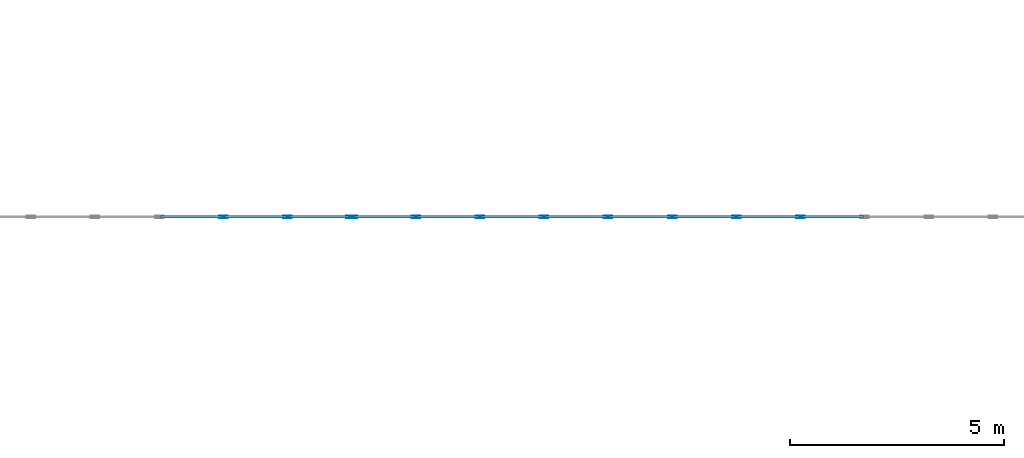
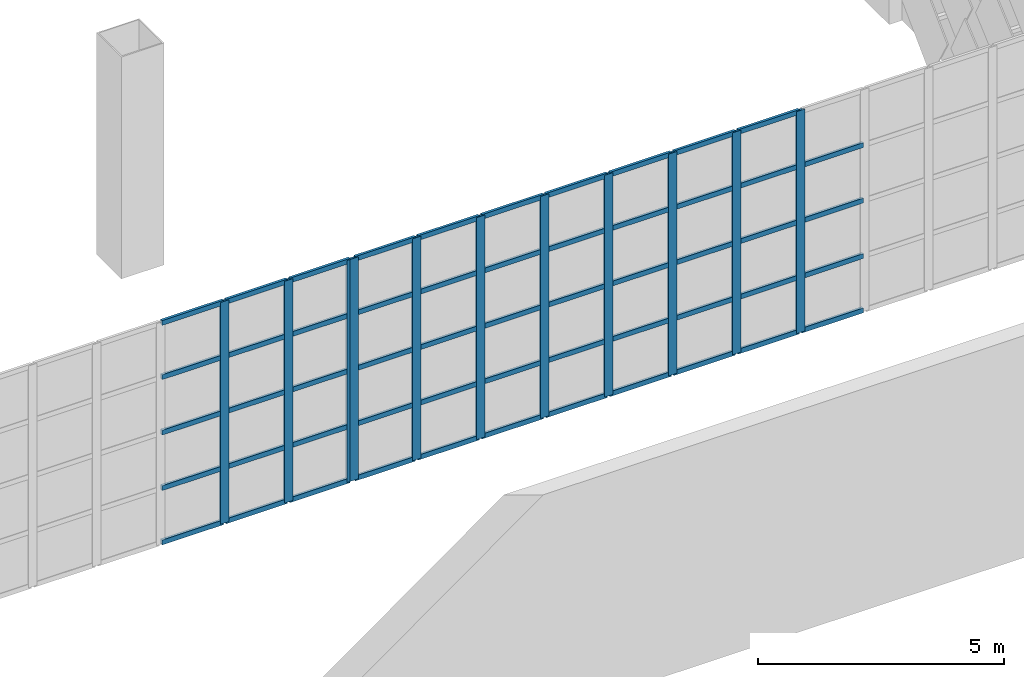
# One storey, part 44 of 185: 65 members, 2 elements without a shape of their own.
"""IFC4 building model written with IfcOpenShell, lengths in metres."""

from ifc_helpers import new_model, si_unit, direction, frame, origin, origin_2d, place, context, subcontext, project, spatial, hollow_rectangle, extrude, material, layer, layer_set, material_profile, profile_set, type_object, element, aggregate, save


model = new_model("IFC4")

# Units and contexts
model_context = context("Model", 3, precision=1e-05, world=origin(), true_north=direction((0.0, 1.0)))
body_context = subcontext(model_context, "Body", "Model", "MODEL_VIEW")
ifc_project = project(units=[si_unit("LENGTHUNIT", "METRE"), si_unit("AREAUNIT", "SQUARE_METRE"), si_unit("VOLUMEUNIT", "CUBIC_METRE"), si_unit("PLANEANGLEUNIT", "RADIAN"), si_unit("MASSUNIT", "GRAM", prefix="KILO")], contexts=[model_context])

# Site, building, storey
site_placement = place(None, origin())
site = spatial("IfcSite", under=ifc_project, at=site_placement, CompositionType="ELEMENT")
building_placement = place(site_placement, origin())
building = spatial("IfcBuilding", under=site, at=building_placement, Name="Opaline Strait Convention Centre", CompositionType="ELEMENT")
storey_placement = place(building_placement, frame((0.0, 0.0, 6.0)))
storey = spatial("IfcBuildingStorey", under=building, at=storey_placement, Name="L01", CompositionType="ELEMENT", Elevation=6.0)

# Curtain wall, members
ifc_material_1 = material(Name="Aluminium framed glazing", Category="aluminium")
ifc_layer = layer(ifc_material_1, 0.199951171875)
ifc_layer_set = layer_set([ifc_layer], Name="Aluminium framed glazing")
curtain_wall_type = type_object("IfcCurtainWallType", Name="Entrance curtain wall 1500", PredefinedType="NOTDEFINED", material=ifc_layer_set)
curtain_wall_1_placement = place(storey_placement, origin())
curtain_wall_1 = element("IfcCurtainWall", 1, at=curtain_wall_1_placement, inside=storey, type_object=curtain_wall_type, Name="Entrance curtain wall L01-R2", PredefinedType="NOTDEFINED")
ifc_material_2 = material(Name="Aluminium alloy 6063", Category="aluminium")
ifc_material_profile_1 = material_profile(ifc_material_2, hollow_rectangle(XDim=0.06005859375, YDim=0.199951171875, WallThickness=0.00390625, at=origin_2d()), Name="MULLION 60x200x4")
ifc_profile_set_1 = profile_set([ifc_material_profile_1], Name="Aluminium alloy 6063")
member_type_1 = type_object("IfcMemberType", Name="Curtain wall mullion 60 x 200", PredefinedType="MULLION", material=ifc_profile_set_1)
member_1_placement = place(storey_placement, frame((186.0, 144.0, 0.0), z_axis=(0.0, 0.0, 1.0), x_axis=(0.0, 1.0, 0.0)))
member_1 = element("IfcMember", 2, at=member_1_placement, type_object=member_type_1, Name="XCW mullion 11", PredefinedType="MULLION", context=body_context, shape_type="SweptSolid", body=[
    extrude(hollow_rectangle(XDim=0.06005859375, YDim=0.199951171875, WallThickness=0.00390625, at=origin_2d()), origin(), (0.0, 0.0, 1.0), 5.5),
])
member_2_placement = place(storey_placement, frame((187.5, 144.0, 0.0), z_axis=(0.0, 0.0, 1.0), x_axis=(0.0, 1.0, 0.0)))
member_2 = element("IfcMember", 3, at=member_2_placement, type_object=member_type_1, Name="XCW mullion 12", PredefinedType="MULLION", context=body_context, shape_type="SweptSolid", body=[
    extrude(hollow_rectangle(XDim=0.06005859375, YDim=0.199951171875, WallThickness=0.00390625, at=origin_2d()), origin(), (0.0, 0.0, 1.0), 5.5),
])
member_3_placement = place(storey_placement, frame((188.969970703125, 144.0, 0.0), z_axis=(0.0, 0.0, 1.0), x_axis=(0.0, 1.0, 0.0)))
member_3 = element("IfcMember", 4, at=member_3_placement, type_object=member_type_1, Name="XCW mullion 13", PredefinedType="MULLION", context=body_context, shape_type="SweptSolid", body=[
    extrude(hollow_rectangle(XDim=0.06005859375, YDim=0.199951171875, WallThickness=0.00390625, at=origin_2d()), origin(), (0.0, 0.0, 1.0), 5.5),
])

curtain_wall_2_placement = place(storey_placement, origin())
curtain_wall_2 = element("IfcCurtainWall", 5, at=curtain_wall_2_placement, inside=storey, type_object=curtain_wall_type, Name="Entrance curtain wall L01-R3", PredefinedType="NOTDEFINED")
member_4_placement = place(storey_placement, frame((189.030029296875, 144.0, 0.0), z_axis=(0.0, 0.0, 1.0), x_axis=(0.0, 1.0, 0.0)))
member_4 = element("IfcMember", 6, at=member_4_placement, type_object=member_type_1, Name="XCW mullion 1", PredefinedType="MULLION", context=body_context, shape_type="SweptSolid", body=[
    extrude(hollow_rectangle(XDim=0.06005859375, YDim=0.199951171875, WallThickness=0.00390625, at=origin_2d()), origin(), (0.0, 0.0, 1.0), 5.5),
])
member_5_placement = place(storey_placement, frame((190.5, 144.0, 0.0), z_axis=(0.0, 0.0, 1.0), x_axis=(0.0, 1.0, 0.0)))
member_5 = element("IfcMember", 7, at=member_5_placement, type_object=member_type_1, Name="XCW mullion 2", PredefinedType="MULLION", context=body_context, shape_type="SweptSolid", body=[
    extrude(hollow_rectangle(XDim=0.06005859375, YDim=0.199951171875, WallThickness=0.00390625, at=origin_2d()), origin(), (0.0, 0.0, 1.0), 5.5),
])
member_6_placement = place(storey_placement, frame((192.0, 144.0, 0.0), z_axis=(0.0, 0.0, 1.0), x_axis=(0.0, 1.0, 0.0)))
member_6 = element("IfcMember", 8, at=member_6_placement, type_object=member_type_1, Name="XCW mullion 3", PredefinedType="MULLION", context=body_context, shape_type="SweptSolid", body=[
    extrude(hollow_rectangle(XDim=0.06005859375, YDim=0.199951171875, WallThickness=0.00390625, at=origin_2d()), origin(), (0.0, 0.0, 1.0), 5.5),
])
member_7_placement = place(storey_placement, frame((193.5, 144.0, 0.0), z_axis=(0.0, 0.0, 1.0), x_axis=(0.0, 1.0, 0.0)))
member_7 = element("IfcMember", 9, at=member_7_placement, type_object=member_type_1, Name="XCW mullion 4", PredefinedType="MULLION", context=body_context, shape_type="SweptSolid", body=[
    extrude(hollow_rectangle(XDim=0.06005859375, YDim=0.199951171875, WallThickness=0.00390625, at=origin_2d()), origin(), (0.0, 0.0, 1.0), 5.5),
])
member_8_placement = place(storey_placement, frame((195.0, 144.0, 0.0), z_axis=(0.0, 0.0, 1.0), x_axis=(0.0, 1.0, 0.0)))
member_8 = element("IfcMember", 10, at=member_8_placement, type_object=member_type_1, Name="XCW mullion 5", PredefinedType="MULLION", context=body_context, shape_type="SweptSolid", body=[
    extrude(hollow_rectangle(XDim=0.06005859375, YDim=0.199951171875, WallThickness=0.00390625, at=origin_2d()), origin(), (0.0, 0.0, 1.0), 5.5),
])
member_9_placement = place(storey_placement, frame((196.5, 144.0, 0.0), z_axis=(0.0, 0.0, 1.0), x_axis=(0.0, 1.0, 0.0)))
member_9 = element("IfcMember", 11, at=member_9_placement, type_object=member_type_1, Name="XCW mullion 6", PredefinedType="MULLION", context=body_context, shape_type="SweptSolid", body=[
    extrude(hollow_rectangle(XDim=0.06005859375, YDim=0.199951171875, WallThickness=0.00390625, at=origin_2d()), origin(), (0.0, 0.0, 1.0), 5.5),
])
member_10_placement = place(storey_placement, frame((198.0, 144.0, 0.0), z_axis=(0.0, 0.0, 1.0), x_axis=(0.0, 1.0, 0.0)))
member_10 = element("IfcMember", 12, at=member_10_placement, type_object=member_type_1, Name="XCW mullion 7", PredefinedType="MULLION", context=body_context, shape_type="SweptSolid", body=[
    extrude(hollow_rectangle(XDim=0.06005859375, YDim=0.199951171875, WallThickness=0.00390625, at=origin_2d()), origin(), (0.0, 0.0, 1.0), 5.5),
])
member_11_placement = place(storey_placement, frame((199.5, 144.0, 0.0), z_axis=(0.0, 0.0, 1.0), x_axis=(0.0, 1.0, 0.0)))
member_11 = element("IfcMember", 13, at=member_11_placement, type_object=member_type_1, Name="XCW mullion 8", PredefinedType="MULLION", context=body_context, shape_type="SweptSolid", body=[
    extrude(hollow_rectangle(XDim=0.06005859375, YDim=0.199951171875, WallThickness=0.00390625, at=origin_2d()), origin(), (0.0, 0.0, 1.0), 5.5),
])

# Member
ifc_material_profile_2 = material_profile(ifc_material_2, hollow_rectangle(XDim=0.06005859375, YDim=0.1201171875, WallThickness=0.0029296875, at=origin_2d()), Name="TRANSOM 60x120x3")
ifc_profile_set_2 = profile_set([ifc_material_profile_2], Name="Aluminium alloy 6063")
member_type_2 = type_object("IfcMemberType", Name="Curtain wall transom 60 x 120", PredefinedType="USERDEFINED", material=ifc_profile_set_2)
member_12_placement = place(storey_placement, frame((184.530029296875, 144.0, 0.030029296875), z_axis=(1.0, 0.0, 0.0), x_axis=(0.0, 1.0, 0.0)))
member_12 = element("IfcMember", 14, at=member_12_placement, type_object=member_type_2, Name="XCW transom 10.1", ObjectType="TRANSOM", PredefinedType="USERDEFINED", context=body_context, shape_type="SweptSolid", body=[
    extrude(hollow_rectangle(XDim=0.06005859375, YDim=0.1201171875, WallThickness=0.0029296875, at=origin_2d()), origin(), (0.0, 0.0, 1.0), 1.43994140625),
])

member_13_placement = place(storey_placement, frame((184.530029296875, 144.0, 1.375), z_axis=(1.0, 0.0, 0.0), x_axis=(0.0, 1.0, 0.0)))
member_13 = element("IfcMember", 15, at=member_13_placement, type_object=member_type_2, Name="XCW transom 10.2", ObjectType="TRANSOM", PredefinedType="USERDEFINED", context=body_context, shape_type="SweptSolid", body=[
    extrude(hollow_rectangle(XDim=0.06005859375, YDim=0.1201171875, WallThickness=0.0029296875, at=origin_2d()), origin(), (0.0, 0.0, 1.0), 1.43994140625),
])

member_14_placement = place(storey_placement, frame((184.530029296875, 144.0, 2.75), z_axis=(1.0, 0.0, 0.0), x_axis=(0.0, 1.0, 0.0)))
member_14 = element("IfcMember", 16, at=member_14_placement, type_object=member_type_2, Name="XCW transom 10.3", ObjectType="TRANSOM", PredefinedType="USERDEFINED", context=body_context, shape_type="SweptSolid", body=[
    extrude(hollow_rectangle(XDim=0.06005859375, YDim=0.1201171875, WallThickness=0.0029296875, at=origin_2d()), origin(), (0.0, 0.0, 1.0), 1.43994140625),
])

member_15_placement = place(storey_placement, frame((184.530029296875, 144.0, 4.125), z_axis=(1.0, 0.0, 0.0), x_axis=(0.0, 1.0, 0.0)))
member_15 = element("IfcMember", 17, at=member_15_placement, type_object=member_type_2, Name="XCW transom 10.4", ObjectType="TRANSOM", PredefinedType="USERDEFINED", context=body_context, shape_type="SweptSolid", body=[
    extrude(hollow_rectangle(XDim=0.06005859375, YDim=0.1201171875, WallThickness=0.0029296875, at=origin_2d()), origin(), (0.0, 0.0, 1.0), 1.43994140625),
])

member_16_placement = place(storey_placement, frame((184.530029296875, 144.0, 5.469970703125), z_axis=(1.0, 0.0, 0.0), x_axis=(0.0, 1.0, 0.0)))
member_16 = element("IfcMember", 18, at=member_16_placement, type_object=member_type_2, Name="XCW transom 10.5", ObjectType="TRANSOM", PredefinedType="USERDEFINED", context=body_context, shape_type="SweptSolid", body=[
    extrude(hollow_rectangle(XDim=0.06005859375, YDim=0.1201171875, WallThickness=0.0029296875, at=origin_2d()), origin(), (0.0, 0.0, 1.0), 1.43994140625),
])

member_17_placement = place(storey_placement, frame((186.030029296875, 144.0, 0.030029296875), z_axis=(1.0, 0.0, 0.0), x_axis=(0.0, 1.0, 0.0)))
member_17 = element("IfcMember", 19, at=member_17_placement, type_object=member_type_2, Name="XCW transom 11.1", ObjectType="TRANSOM", PredefinedType="USERDEFINED", context=body_context, shape_type="SweptSolid", body=[
    extrude(hollow_rectangle(XDim=0.06005859375, YDim=0.1201171875, WallThickness=0.0029296875, at=origin_2d()), origin(), (0.0, 0.0, 1.0), 1.43994140625),
])

member_18_placement = place(storey_placement, frame((186.030029296875, 144.0, 1.375), z_axis=(1.0, 0.0, 0.0), x_axis=(0.0, 1.0, 0.0)))
member_18 = element("IfcMember", 20, at=member_18_placement, type_object=member_type_2, Name="XCW transom 11.2", ObjectType="TRANSOM", PredefinedType="USERDEFINED", context=body_context, shape_type="SweptSolid", body=[
    extrude(hollow_rectangle(XDim=0.06005859375, YDim=0.1201171875, WallThickness=0.0029296875, at=origin_2d()), origin(), (0.0, 0.0, 1.0), 1.43994140625),
])

member_19_placement = place(storey_placement, frame((186.030029296875, 144.0, 2.75), z_axis=(1.0, 0.0, 0.0), x_axis=(0.0, 1.0, 0.0)))
member_19 = element("IfcMember", 21, at=member_19_placement, type_object=member_type_2, Name="XCW transom 11.3", ObjectType="TRANSOM", PredefinedType="USERDEFINED", context=body_context, shape_type="SweptSolid", body=[
    extrude(hollow_rectangle(XDim=0.06005859375, YDim=0.1201171875, WallThickness=0.0029296875, at=origin_2d()), origin(), (0.0, 0.0, 1.0), 1.43994140625),
])

member_20_placement = place(storey_placement, frame((186.030029296875, 144.0, 4.125), z_axis=(1.0, 0.0, 0.0), x_axis=(0.0, 1.0, 0.0)))
member_20 = element("IfcMember", 22, at=member_20_placement, type_object=member_type_2, Name="XCW transom 11.4", ObjectType="TRANSOM", PredefinedType="USERDEFINED", context=body_context, shape_type="SweptSolid", body=[
    extrude(hollow_rectangle(XDim=0.06005859375, YDim=0.1201171875, WallThickness=0.0029296875, at=origin_2d()), origin(), (0.0, 0.0, 1.0), 1.43994140625),
])

member_21_placement = place(storey_placement, frame((186.030029296875, 144.0, 5.469970703125), z_axis=(1.0, 0.0, 0.0), x_axis=(0.0, 1.0, 0.0)))
member_21 = element("IfcMember", 23, at=member_21_placement, type_object=member_type_2, Name="XCW transom 11.5", ObjectType="TRANSOM", PredefinedType="USERDEFINED", context=body_context, shape_type="SweptSolid", body=[
    extrude(hollow_rectangle(XDim=0.06005859375, YDim=0.1201171875, WallThickness=0.0029296875, at=origin_2d()), origin(), (0.0, 0.0, 1.0), 1.43994140625),
])

member_22_placement = place(storey_placement, frame((187.530029296875, 144.0, 0.030029296875), z_axis=(1.0, 0.0, 0.0), x_axis=(0.0, 1.0, 0.0)))
member_22 = element("IfcMember", 24, at=member_22_placement, type_object=member_type_2, Name="XCW transom 12.1", ObjectType="TRANSOM", PredefinedType="USERDEFINED", context=body_context, shape_type="SweptSolid", body=[
    extrude(hollow_rectangle(XDim=0.06005859375, YDim=0.1201171875, WallThickness=0.0029296875, at=origin_2d()), origin(), (0.0, 0.0, 1.0), 1.409912109375),
])

member_23_placement = place(storey_placement, frame((187.530029296875, 144.0, 1.375), z_axis=(1.0, 0.0, 0.0), x_axis=(0.0, 1.0, 0.0)))
member_23 = element("IfcMember", 25, at=member_23_placement, type_object=member_type_2, Name="XCW transom 12.2", ObjectType="TRANSOM", PredefinedType="USERDEFINED", context=body_context, shape_type="SweptSolid", body=[
    extrude(hollow_rectangle(XDim=0.06005859375, YDim=0.1201171875, WallThickness=0.0029296875, at=origin_2d()), origin(), (0.0, 0.0, 1.0), 1.409912109375),
])

member_24_placement = place(storey_placement, frame((187.530029296875, 144.0, 2.75), z_axis=(1.0, 0.0, 0.0), x_axis=(0.0, 1.0, 0.0)))
member_24 = element("IfcMember", 26, at=member_24_placement, type_object=member_type_2, Name="XCW transom 12.3", ObjectType="TRANSOM", PredefinedType="USERDEFINED", context=body_context, shape_type="SweptSolid", body=[
    extrude(hollow_rectangle(XDim=0.06005859375, YDim=0.1201171875, WallThickness=0.0029296875, at=origin_2d()), origin(), (0.0, 0.0, 1.0), 1.409912109375),
])

member_25_placement = place(storey_placement, frame((187.530029296875, 144.0, 4.125), z_axis=(1.0, 0.0, 0.0), x_axis=(0.0, 1.0, 0.0)))
member_25 = element("IfcMember", 27, at=member_25_placement, type_object=member_type_2, Name="XCW transom 12.4", ObjectType="TRANSOM", PredefinedType="USERDEFINED", context=body_context, shape_type="SweptSolid", body=[
    extrude(hollow_rectangle(XDim=0.06005859375, YDim=0.1201171875, WallThickness=0.0029296875, at=origin_2d()), origin(), (0.0, 0.0, 1.0), 1.409912109375),
])

member_26_placement = place(storey_placement, frame((187.530029296875, 144.0, 5.469970703125), z_axis=(1.0, 0.0, 0.0), x_axis=(0.0, 1.0, 0.0)))
member_26 = element("IfcMember", 28, at=member_26_placement, type_object=member_type_2, Name="XCW transom 12.5", ObjectType="TRANSOM", PredefinedType="USERDEFINED", context=body_context, shape_type="SweptSolid", body=[
    extrude(hollow_rectangle(XDim=0.06005859375, YDim=0.1201171875, WallThickness=0.0029296875, at=origin_2d()), origin(), (0.0, 0.0, 1.0), 1.409912109375),
])

aggregate(curtain_wall_1, [member_1, member_2, member_3, member_12, member_13, member_14, member_15, member_16, member_17, member_18, member_19, member_20, member_21, member_22, member_23, member_24, member_25, member_26])

member_27_placement = place(storey_placement, frame((189.06005859375, 144.0, 0.030029296875), z_axis=(1.0, 0.0, 0.0), x_axis=(0.0, 1.0, 0.0)))
member_27 = element("IfcMember", 29, at=member_27_placement, type_object=member_type_2, Name="XCW transom 1.1", ObjectType="TRANSOM", PredefinedType="USERDEFINED", context=body_context, shape_type="SweptSolid", body=[
    extrude(hollow_rectangle(XDim=0.06005859375, YDim=0.1201171875, WallThickness=0.0029296875, at=origin_2d()), origin(), (0.0, 0.0, 1.0), 1.409912109375),
])

member_28_placement = place(storey_placement, frame((189.06005859375, 144.0, 1.375), z_axis=(1.0, 0.0, 0.0), x_axis=(0.0, 1.0, 0.0)))
member_28 = element("IfcMember", 30, at=member_28_placement, type_object=member_type_2, Name="XCW transom 1.2", ObjectType="TRANSOM", PredefinedType="USERDEFINED", context=body_context, shape_type="SweptSolid", body=[
    extrude(hollow_rectangle(XDim=0.06005859375, YDim=0.1201171875, WallThickness=0.0029296875, at=origin_2d()), origin(), (0.0, 0.0, 1.0), 1.409912109375),
])

member_29_placement = place(storey_placement, frame((189.06005859375, 144.0, 2.75), z_axis=(1.0, 0.0, 0.0), x_axis=(0.0, 1.0, 0.0)))
member_29 = element("IfcMember", 31, at=member_29_placement, type_object=member_type_2, Name="XCW transom 1.3", ObjectType="TRANSOM", PredefinedType="USERDEFINED", context=body_context, shape_type="SweptSolid", body=[
    extrude(hollow_rectangle(XDim=0.06005859375, YDim=0.1201171875, WallThickness=0.0029296875, at=origin_2d()), origin(), (0.0, 0.0, 1.0), 1.409912109375),
])

member_30_placement = place(storey_placement, frame((189.06005859375, 144.0, 4.125), z_axis=(1.0, 0.0, 0.0), x_axis=(0.0, 1.0, 0.0)))
member_30 = element("IfcMember", 32, at=member_30_placement, type_object=member_type_2, Name="XCW transom 1.4", ObjectType="TRANSOM", PredefinedType="USERDEFINED", context=body_context, shape_type="SweptSolid", body=[
    extrude(hollow_rectangle(XDim=0.06005859375, YDim=0.1201171875, WallThickness=0.0029296875, at=origin_2d()), origin(), (0.0, 0.0, 1.0), 1.409912109375),
])

member_31_placement = place(storey_placement, frame((189.06005859375, 144.0, 5.469970703125), z_axis=(1.0, 0.0, 0.0), x_axis=(0.0, 1.0, 0.0)))
member_31 = element("IfcMember", 33, at=member_31_placement, type_object=member_type_2, Name="XCW transom 1.5", ObjectType="TRANSOM", PredefinedType="USERDEFINED", context=body_context, shape_type="SweptSolid", body=[
    extrude(hollow_rectangle(XDim=0.06005859375, YDim=0.1201171875, WallThickness=0.0029296875, at=origin_2d()), origin(), (0.0, 0.0, 1.0), 1.409912109375),
])

member_32_placement = place(storey_placement, frame((190.530029296875, 144.0, 0.030029296875), z_axis=(1.0, 0.0, 0.0), x_axis=(0.0, 1.0, 0.0)))
member_32 = element("IfcMember", 34, at=member_32_placement, type_object=member_type_2, Name="XCW transom 2.1", ObjectType="TRANSOM", PredefinedType="USERDEFINED", context=body_context, shape_type="SweptSolid", body=[
    extrude(hollow_rectangle(XDim=0.06005859375, YDim=0.1201171875, WallThickness=0.0029296875, at=origin_2d()), origin(), (0.0, 0.0, 1.0), 1.43994140625),
])

member_33_placement = place(storey_placement, frame((190.530029296875, 144.0, 1.375), z_axis=(1.0, 0.0, 0.0), x_axis=(0.0, 1.0, 0.0)))
member_33 = element("IfcMember", 35, at=member_33_placement, type_object=member_type_2, Name="XCW transom 2.2", ObjectType="TRANSOM", PredefinedType="USERDEFINED", context=body_context, shape_type="SweptSolid", body=[
    extrude(hollow_rectangle(XDim=0.06005859375, YDim=0.1201171875, WallThickness=0.0029296875, at=origin_2d()), origin(), (0.0, 0.0, 1.0), 1.43994140625),
])

member_34_placement = place(storey_placement, frame((190.530029296875, 144.0, 2.75), z_axis=(1.0, 0.0, 0.0), x_axis=(0.0, 1.0, 0.0)))
member_34 = element("IfcMember", 36, at=member_34_placement, type_object=member_type_2, Name="XCW transom 2.3", ObjectType="TRANSOM", PredefinedType="USERDEFINED", context=body_context, shape_type="SweptSolid", body=[
    extrude(hollow_rectangle(XDim=0.06005859375, YDim=0.1201171875, WallThickness=0.0029296875, at=origin_2d()), origin(), (0.0, 0.0, 1.0), 1.43994140625),
])

member_35_placement = place(storey_placement, frame((190.530029296875, 144.0, 4.125), z_axis=(1.0, 0.0, 0.0), x_axis=(0.0, 1.0, 0.0)))
member_35 = element("IfcMember", 37, at=member_35_placement, type_object=member_type_2, Name="XCW transom 2.4", ObjectType="TRANSOM", PredefinedType="USERDEFINED", context=body_context, shape_type="SweptSolid", body=[
    extrude(hollow_rectangle(XDim=0.06005859375, YDim=0.1201171875, WallThickness=0.0029296875, at=origin_2d()), origin(), (0.0, 0.0, 1.0), 1.43994140625),
])

member_36_placement = place(storey_placement, frame((190.530029296875, 144.0, 5.469970703125), z_axis=(1.0, 0.0, 0.0), x_axis=(0.0, 1.0, 0.0)))
member_36 = element("IfcMember", 38, at=member_36_placement, type_object=member_type_2, Name="XCW transom 2.5", ObjectType="TRANSOM", PredefinedType="USERDEFINED", context=body_context, shape_type="SweptSolid", body=[
    extrude(hollow_rectangle(XDim=0.06005859375, YDim=0.1201171875, WallThickness=0.0029296875, at=origin_2d()), origin(), (0.0, 0.0, 1.0), 1.43994140625),
])

member_37_placement = place(storey_placement, frame((192.030029296875, 144.0, 0.030029296875), z_axis=(1.0, 0.0, 0.0), x_axis=(0.0, 1.0, 0.0)))
member_37 = element("IfcMember", 39, at=member_37_placement, type_object=member_type_2, Name="XCW transom 3.1", ObjectType="TRANSOM", PredefinedType="USERDEFINED", context=body_context, shape_type="SweptSolid", body=[
    extrude(hollow_rectangle(XDim=0.06005859375, YDim=0.1201171875, WallThickness=0.0029296875, at=origin_2d()), origin(), (0.0, 0.0, 1.0), 1.43994140625),
])

member_38_placement = place(storey_placement, frame((192.030029296875, 144.0, 1.375), z_axis=(1.0, 0.0, 0.0), x_axis=(0.0, 1.0, 0.0)))
member_38 = element("IfcMember", 40, at=member_38_placement, type_object=member_type_2, Name="XCW transom 3.2", ObjectType="TRANSOM", PredefinedType="USERDEFINED", context=body_context, shape_type="SweptSolid", body=[
    extrude(hollow_rectangle(XDim=0.06005859375, YDim=0.1201171875, WallThickness=0.0029296875, at=origin_2d()), origin(), (0.0, 0.0, 1.0), 1.43994140625),
])

member_39_placement = place(storey_placement, frame((192.030029296875, 144.0, 2.75), z_axis=(1.0, 0.0, 0.0), x_axis=(0.0, 1.0, 0.0)))
member_39 = element("IfcMember", 41, at=member_39_placement, type_object=member_type_2, Name="XCW transom 3.3", ObjectType="TRANSOM", PredefinedType="USERDEFINED", context=body_context, shape_type="SweptSolid", body=[
    extrude(hollow_rectangle(XDim=0.06005859375, YDim=0.1201171875, WallThickness=0.0029296875, at=origin_2d()), origin(), (0.0, 0.0, 1.0), 1.43994140625),
])

member_40_placement = place(storey_placement, frame((192.030029296875, 144.0, 4.125), z_axis=(1.0, 0.0, 0.0), x_axis=(0.0, 1.0, 0.0)))
member_40 = element("IfcMember", 42, at=member_40_placement, type_object=member_type_2, Name="XCW transom 3.4", ObjectType="TRANSOM", PredefinedType="USERDEFINED", context=body_context, shape_type="SweptSolid", body=[
    extrude(hollow_rectangle(XDim=0.06005859375, YDim=0.1201171875, WallThickness=0.0029296875, at=origin_2d()), origin(), (0.0, 0.0, 1.0), 1.43994140625),
])

member_41_placement = place(storey_placement, frame((192.030029296875, 144.0, 5.469970703125), z_axis=(1.0, 0.0, 0.0), x_axis=(0.0, 1.0, 0.0)))
member_41 = element("IfcMember", 43, at=member_41_placement, type_object=member_type_2, Name="XCW transom 3.5", ObjectType="TRANSOM", PredefinedType="USERDEFINED", context=body_context, shape_type="SweptSolid", body=[
    extrude(hollow_rectangle(XDim=0.06005859375, YDim=0.1201171875, WallThickness=0.0029296875, at=origin_2d()), origin(), (0.0, 0.0, 1.0), 1.43994140625),
])

member_42_placement = place(storey_placement, frame((193.530029296875, 144.0, 0.030029296875), z_axis=(1.0, 0.0, 0.0), x_axis=(0.0, 1.0, 0.0)))
member_42 = element("IfcMember", 44, at=member_42_placement, type_object=member_type_2, Name="XCW transom 4.1", ObjectType="TRANSOM", PredefinedType="USERDEFINED", context=body_context, shape_type="SweptSolid", body=[
    extrude(hollow_rectangle(XDim=0.06005859375, YDim=0.1201171875, WallThickness=0.0029296875, at=origin_2d()), origin(), (0.0, 0.0, 1.0), 1.43994140625),
])

member_43_placement = place(storey_placement, frame((193.530029296875, 144.0, 1.375), z_axis=(1.0, 0.0, 0.0), x_axis=(0.0, 1.0, 0.0)))
member_43 = element("IfcMember", 45, at=member_43_placement, type_object=member_type_2, Name="XCW transom 4.2", ObjectType="TRANSOM", PredefinedType="USERDEFINED", context=body_context, shape_type="SweptSolid", body=[
    extrude(hollow_rectangle(XDim=0.06005859375, YDim=0.1201171875, WallThickness=0.0029296875, at=origin_2d()), origin(), (0.0, 0.0, 1.0), 1.43994140625),
])

member_44_placement = place(storey_placement, frame((193.530029296875, 144.0, 2.75), z_axis=(1.0, 0.0, 0.0), x_axis=(0.0, 1.0, 0.0)))
member_44 = element("IfcMember", 46, at=member_44_placement, type_object=member_type_2, Name="XCW transom 4.3", ObjectType="TRANSOM", PredefinedType="USERDEFINED", context=body_context, shape_type="SweptSolid", body=[
    extrude(hollow_rectangle(XDim=0.06005859375, YDim=0.1201171875, WallThickness=0.0029296875, at=origin_2d()), origin(), (0.0, 0.0, 1.0), 1.43994140625),
])

member_45_placement = place(storey_placement, frame((193.530029296875, 144.0, 4.125), z_axis=(1.0, 0.0, 0.0), x_axis=(0.0, 1.0, 0.0)))
member_45 = element("IfcMember", 47, at=member_45_placement, type_object=member_type_2, Name="XCW transom 4.4", ObjectType="TRANSOM", PredefinedType="USERDEFINED", context=body_context, shape_type="SweptSolid", body=[
    extrude(hollow_rectangle(XDim=0.06005859375, YDim=0.1201171875, WallThickness=0.0029296875, at=origin_2d()), origin(), (0.0, 0.0, 1.0), 1.43994140625),
])

member_46_placement = place(storey_placement, frame((193.530029296875, 144.0, 5.469970703125), z_axis=(1.0, 0.0, 0.0), x_axis=(0.0, 1.0, 0.0)))
member_46 = element("IfcMember", 48, at=member_46_placement, type_object=member_type_2, Name="XCW transom 4.5", ObjectType="TRANSOM", PredefinedType="USERDEFINED", context=body_context, shape_type="SweptSolid", body=[
    extrude(hollow_rectangle(XDim=0.06005859375, YDim=0.1201171875, WallThickness=0.0029296875, at=origin_2d()), origin(), (0.0, 0.0, 1.0), 1.43994140625),
])

member_47_placement = place(storey_placement, frame((195.030029296875, 144.0, 0.030029296875), z_axis=(1.0, 0.0, 0.0), x_axis=(0.0, 1.0, 0.0)))
member_47 = element("IfcMember", 49, at=member_47_placement, type_object=member_type_2, Name="XCW transom 5.1", ObjectType="TRANSOM", PredefinedType="USERDEFINED", context=body_context, shape_type="SweptSolid", body=[
    extrude(hollow_rectangle(XDim=0.06005859375, YDim=0.1201171875, WallThickness=0.0029296875, at=origin_2d()), origin(), (0.0, 0.0, 1.0), 1.43994140625),
])

member_48_placement = place(storey_placement, frame((195.030029296875, 144.0, 1.375), z_axis=(1.0, 0.0, 0.0), x_axis=(0.0, 1.0, 0.0)))
member_48 = element("IfcMember", 50, at=member_48_placement, type_object=member_type_2, Name="XCW transom 5.2", ObjectType="TRANSOM", PredefinedType="USERDEFINED", context=body_context, shape_type="SweptSolid", body=[
    extrude(hollow_rectangle(XDim=0.06005859375, YDim=0.1201171875, WallThickness=0.0029296875, at=origin_2d()), origin(), (0.0, 0.0, 1.0), 1.43994140625),
])

member_49_placement = place(storey_placement, frame((195.030029296875, 144.0, 2.75), z_axis=(1.0, 0.0, 0.0), x_axis=(0.0, 1.0, 0.0)))
member_49 = element("IfcMember", 51, at=member_49_placement, type_object=member_type_2, Name="XCW transom 5.3", ObjectType="TRANSOM", PredefinedType="USERDEFINED", context=body_context, shape_type="SweptSolid", body=[
    extrude(hollow_rectangle(XDim=0.06005859375, YDim=0.1201171875, WallThickness=0.0029296875, at=origin_2d()), origin(), (0.0, 0.0, 1.0), 1.43994140625),
])

member_50_placement = place(storey_placement, frame((195.030029296875, 144.0, 4.125), z_axis=(1.0, 0.0, 0.0), x_axis=(0.0, 1.0, 0.0)))
member_50 = element("IfcMember", 52, at=member_50_placement, type_object=member_type_2, Name="XCW transom 5.4", ObjectType="TRANSOM", PredefinedType="USERDEFINED", context=body_context, shape_type="SweptSolid", body=[
    extrude(hollow_rectangle(XDim=0.06005859375, YDim=0.1201171875, WallThickness=0.0029296875, at=origin_2d()), origin(), (0.0, 0.0, 1.0), 1.43994140625),
])

member_51_placement = place(storey_placement, frame((195.030029296875, 144.0, 5.469970703125), z_axis=(1.0, 0.0, 0.0), x_axis=(0.0, 1.0, 0.0)))
member_51 = element("IfcMember", 53, at=member_51_placement, type_object=member_type_2, Name="XCW transom 5.5", ObjectType="TRANSOM", PredefinedType="USERDEFINED", context=body_context, shape_type="SweptSolid", body=[
    extrude(hollow_rectangle(XDim=0.06005859375, YDim=0.1201171875, WallThickness=0.0029296875, at=origin_2d()), origin(), (0.0, 0.0, 1.0), 1.43994140625),
])

member_52_placement = place(storey_placement, frame((196.530029296875, 144.0, 0.030029296875), z_axis=(1.0, 0.0, 0.0), x_axis=(0.0, 1.0, 0.0)))
member_52 = element("IfcMember", 54, at=member_52_placement, type_object=member_type_2, Name="XCW transom 6.1", ObjectType="TRANSOM", PredefinedType="USERDEFINED", context=body_context, shape_type="SweptSolid", body=[
    extrude(hollow_rectangle(XDim=0.06005859375, YDim=0.1201171875, WallThickness=0.0029296875, at=origin_2d()), origin(), (0.0, 0.0, 1.0), 1.43994140625),
])

member_53_placement = place(storey_placement, frame((196.530029296875, 144.0, 1.375), z_axis=(1.0, 0.0, 0.0), x_axis=(0.0, 1.0, 0.0)))
member_53 = element("IfcMember", 55, at=member_53_placement, type_object=member_type_2, Name="XCW transom 6.2", ObjectType="TRANSOM", PredefinedType="USERDEFINED", context=body_context, shape_type="SweptSolid", body=[
    extrude(hollow_rectangle(XDim=0.06005859375, YDim=0.1201171875, WallThickness=0.0029296875, at=origin_2d()), origin(), (0.0, 0.0, 1.0), 1.43994140625),
])

member_54_placement = place(storey_placement, frame((196.530029296875, 144.0, 2.75), z_axis=(1.0, 0.0, 0.0), x_axis=(0.0, 1.0, 0.0)))
member_54 = element("IfcMember", 56, at=member_54_placement, type_object=member_type_2, Name="XCW transom 6.3", ObjectType="TRANSOM", PredefinedType="USERDEFINED", context=body_context, shape_type="SweptSolid", body=[
    extrude(hollow_rectangle(XDim=0.06005859375, YDim=0.1201171875, WallThickness=0.0029296875, at=origin_2d()), origin(), (0.0, 0.0, 1.0), 1.43994140625),
])

member_55_placement = place(storey_placement, frame((196.530029296875, 144.0, 4.125), z_axis=(1.0, 0.0, 0.0), x_axis=(0.0, 1.0, 0.0)))
member_55 = element("IfcMember", 57, at=member_55_placement, type_object=member_type_2, Name="XCW transom 6.4", ObjectType="TRANSOM", PredefinedType="USERDEFINED", context=body_context, shape_type="SweptSolid", body=[
    extrude(hollow_rectangle(XDim=0.06005859375, YDim=0.1201171875, WallThickness=0.0029296875, at=origin_2d()), origin(), (0.0, 0.0, 1.0), 1.43994140625),
])

member_56_placement = place(storey_placement, frame((196.530029296875, 144.0, 5.469970703125), z_axis=(1.0, 0.0, 0.0), x_axis=(0.0, 1.0, 0.0)))
member_56 = element("IfcMember", 58, at=member_56_placement, type_object=member_type_2, Name="XCW transom 6.5", ObjectType="TRANSOM", PredefinedType="USERDEFINED", context=body_context, shape_type="SweptSolid", body=[
    extrude(hollow_rectangle(XDim=0.06005859375, YDim=0.1201171875, WallThickness=0.0029296875, at=origin_2d()), origin(), (0.0, 0.0, 1.0), 1.43994140625),
])

member_57_placement = place(storey_placement, frame((198.030029296875, 144.0, 0.030029296875), z_axis=(1.0, 0.0, 0.0), x_axis=(0.0, 1.0, 0.0)))
member_57 = element("IfcMember", 59, at=member_57_placement, type_object=member_type_2, Name="XCW transom 7.1", ObjectType="TRANSOM", PredefinedType="USERDEFINED", context=body_context, shape_type="SweptSolid", body=[
    extrude(hollow_rectangle(XDim=0.06005859375, YDim=0.1201171875, WallThickness=0.0029296875, at=origin_2d()), origin(), (0.0, 0.0, 1.0), 1.43994140625),
])

member_58_placement = place(storey_placement, frame((198.030029296875, 144.0, 1.375), z_axis=(1.0, 0.0, 0.0), x_axis=(0.0, 1.0, 0.0)))
member_58 = element("IfcMember", 60, at=member_58_placement, type_object=member_type_2, Name="XCW transom 7.2", ObjectType="TRANSOM", PredefinedType="USERDEFINED", context=body_context, shape_type="SweptSolid", body=[
    extrude(hollow_rectangle(XDim=0.06005859375, YDim=0.1201171875, WallThickness=0.0029296875, at=origin_2d()), origin(), (0.0, 0.0, 1.0), 1.43994140625),
])

member_59_placement = place(storey_placement, frame((198.030029296875, 144.0, 2.75), z_axis=(1.0, 0.0, 0.0), x_axis=(0.0, 1.0, 0.0)))
member_59 = element("IfcMember", 61, at=member_59_placement, type_object=member_type_2, Name="XCW transom 7.3", ObjectType="TRANSOM", PredefinedType="USERDEFINED", context=body_context, shape_type="SweptSolid", body=[
    extrude(hollow_rectangle(XDim=0.06005859375, YDim=0.1201171875, WallThickness=0.0029296875, at=origin_2d()), origin(), (0.0, 0.0, 1.0), 1.43994140625),
])

member_60_placement = place(storey_placement, frame((198.030029296875, 144.0, 4.125), z_axis=(1.0, 0.0, 0.0), x_axis=(0.0, 1.0, 0.0)))
member_60 = element("IfcMember", 62, at=member_60_placement, type_object=member_type_2, Name="XCW transom 7.4", ObjectType="TRANSOM", PredefinedType="USERDEFINED", context=body_context, shape_type="SweptSolid", body=[
    extrude(hollow_rectangle(XDim=0.06005859375, YDim=0.1201171875, WallThickness=0.0029296875, at=origin_2d()), origin(), (0.0, 0.0, 1.0), 1.43994140625),
])

member_61_placement = place(storey_placement, frame((198.030029296875, 144.0, 5.469970703125), z_axis=(1.0, 0.0, 0.0), x_axis=(0.0, 1.0, 0.0)))
member_61 = element("IfcMember", 63, at=member_61_placement, type_object=member_type_2, Name="XCW transom 7.5", ObjectType="TRANSOM", PredefinedType="USERDEFINED", context=body_context, shape_type="SweptSolid", body=[
    extrude(hollow_rectangle(XDim=0.06005859375, YDim=0.1201171875, WallThickness=0.0029296875, at=origin_2d()), origin(), (0.0, 0.0, 1.0), 1.43994140625),
])

member_62_placement = place(storey_placement, frame((199.530029296875, 144.0, 0.030029296875), z_axis=(1.0, 0.0, 0.0), x_axis=(0.0, 1.0, 0.0)))
member_62 = element("IfcMember", 64, at=member_62_placement, type_object=member_type_2, Name="XCW transom 8.1", ObjectType="TRANSOM", PredefinedType="USERDEFINED", context=body_context, shape_type="SweptSolid", body=[
    extrude(hollow_rectangle(XDim=0.06005859375, YDim=0.1201171875, WallThickness=0.0029296875, at=origin_2d()), origin(), (0.0, 0.0, 1.0), 1.43994140625),
])

member_63_placement = place(storey_placement, frame((199.530029296875, 144.0, 1.375), z_axis=(1.0, 0.0, 0.0), x_axis=(0.0, 1.0, 0.0)))
member_63 = element("IfcMember", 65, at=member_63_placement, type_object=member_type_2, Name="XCW transom 8.2", ObjectType="TRANSOM", PredefinedType="USERDEFINED", context=body_context, shape_type="SweptSolid", body=[
    extrude(hollow_rectangle(XDim=0.06005859375, YDim=0.1201171875, WallThickness=0.0029296875, at=origin_2d()), origin(), (0.0, 0.0, 1.0), 1.43994140625),
])

member_64_placement = place(storey_placement, frame((199.530029296875, 144.0, 2.75), z_axis=(1.0, 0.0, 0.0), x_axis=(0.0, 1.0, 0.0)))
member_64 = element("IfcMember", 66, at=member_64_placement, type_object=member_type_2, Name="XCW transom 8.3", ObjectType="TRANSOM", PredefinedType="USERDEFINED", context=body_context, shape_type="SweptSolid", body=[
    extrude(hollow_rectangle(XDim=0.06005859375, YDim=0.1201171875, WallThickness=0.0029296875, at=origin_2d()), origin(), (0.0, 0.0, 1.0), 1.43994140625),
])

member_65_placement = place(storey_placement, frame((199.530029296875, 144.0, 4.125), z_axis=(1.0, 0.0, 0.0), x_axis=(0.0, 1.0, 0.0)))
member_65 = element("IfcMember", 67, at=member_65_placement, type_object=member_type_2, Name="XCW transom 8.4", ObjectType="TRANSOM", PredefinedType="USERDEFINED", context=body_context, shape_type="SweptSolid", body=[
    extrude(hollow_rectangle(XDim=0.06005859375, YDim=0.1201171875, WallThickness=0.0029296875, at=origin_2d()), origin(), (0.0, 0.0, 1.0), 1.43994140625),
])

aggregate(curtain_wall_2, [member_4, member_5, member_6, member_7, member_8, member_9, member_10, member_11, member_27, member_28, member_29, member_30, member_31, member_32, member_33, member_34, member_35, member_36, member_37, member_38, member_39, member_40, member_41, member_42, member_43, member_44, member_45, member_46, member_47, member_48, member_49, member_50, member_51, member_52, member_53, member_54, member_55, member_56, member_57, member_58, member_59, member_60, member_61, member_62, member_63, member_64, member_65])

save(model, "model.ifc")
